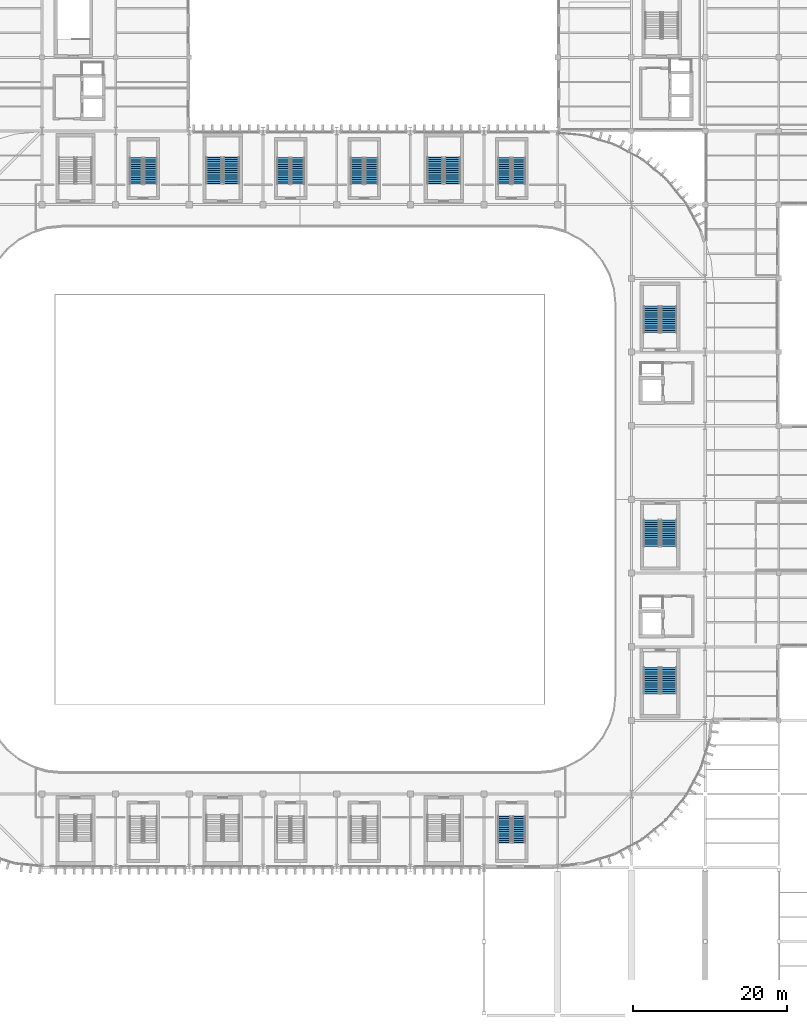
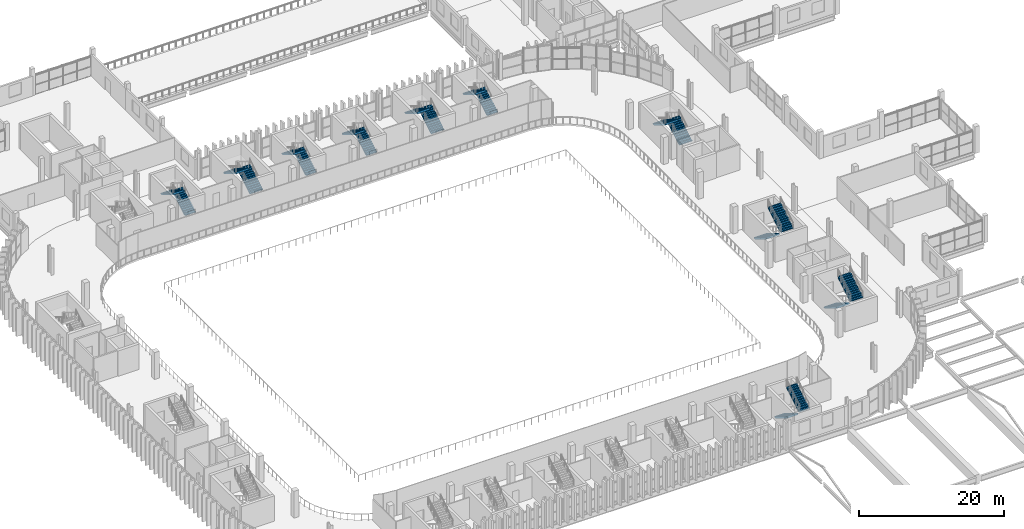
# One storey, part 55 of 75: 20 stair flights, 10 elements without a shape of their own.
"""IFC4 building model written with IfcOpenShell, lengths in metres."""

from ifc_helpers import new_model, si_unit, direction, frame, origin, place, context, subcontext, project, spatial, polyline, outline, extrude, material, type_object, element, aggregate, save


model = new_model("IFC4")

# Units and contexts
model_context = context("Model", 3, precision=1e-05, world=origin(), true_north=direction((0.0, 1.0)))
body_context = subcontext(model_context, "Body", "Model", "MODEL_VIEW")
ifc_project = project(units=[si_unit("LENGTHUNIT", "METRE"), si_unit("AREAUNIT", "SQUARE_METRE"), si_unit("VOLUMEUNIT", "CUBIC_METRE"), si_unit("PLANEANGLEUNIT", "RADIAN"), si_unit("MASSUNIT", "GRAM", prefix="KILO")], contexts=[model_context])

# Site, building, storey
site_placement = place(None, origin())
site = spatial("IfcSite", under=ifc_project, at=site_placement, CompositionType="ELEMENT")
building_placement = place(site_placement, origin())
building = spatial("IfcBuilding", under=site, at=building_placement, Name="Caelomonte Colonnade Arena", CompositionType="ELEMENT")
storey_placement = place(building_placement, frame((0.0, 0.0, 14.10009765625)))
storey = spatial("IfcBuildingStorey", under=building, at=storey_placement, Name="L03", CompositionType="ELEMENT", Elevation=14.10009765625)

# Stair, stair flights
ifc_material_1 = material(Name="Concrete C40/50", Category="concrete")
stair_type_1 = type_object("IfcStairType", Name="INT-ST-CORE45", PredefinedType="HALF_TURN_STAIR", material=ifc_material_1)
stair_1_placement = place(storey_placement, origin())
stair_1 = element("IfcStair", 1, at=stair_1_placement, inside=storey, type_object=stair_type_1, Name="L03 Protected exit stair ST-10", PredefinedType="HALF_TURN_STAIR")
stair_flight_type_1 = type_object("IfcStairFlightType", Name="INT-SF-CORE45", PredefinedType="STRAIGHT", material=ifc_material_1)
stair_flight_1_placement = place(storey_placement, frame((156.22509765625, 64.5, 0.0), z_axis=(0.0, 0.0, 1.0), x_axis=(0.0, -1.0, 0.0)))
stair_flight_1 = element("IfcStairFlight", 2, at=stair_flight_1_placement, type_object=stair_flight_type_1, Name="ST-10 flight 1", NumberOfRisers=13, NumberOfTreads=12, PredefinedType="STRAIGHT", RiserHeight=0.173076923, TreadLength=0.285, context=body_context, shape_type="SweptSolid", body=[
    extrude(outline(polyline([(-0.02490234375, 0.0), (-0.02490234375, 0.103759765625), (0.0, 0.103759765625), (0.0, 0.173095703125), (0.284912109375, 0.173095703125), (0.284912109375, 0.34619140625), (0.570068359375, 0.34619140625), (0.570068359375, 0.519287109375), (0.85498046875, 0.519287109375), (0.85498046875, 0.6923828125), (1.139892578125, 0.6923828125), (1.139892578125, 0.865478515625), (1.425048828125, 0.865478515625), (1.425048828125, 1.03857421875), (1.7099609375, 1.03857421875), (1.7099609375, 1.21142578125), (1.9951171875, 1.21142578125), (1.9951171875, 1.384521484375), (2.280029296875, 1.384521484375), (2.280029296875, 1.5576171875), (2.56494140625, 1.5576171875), (2.56494140625, 1.730712890625), (2.85009765625, 1.730712890625), (2.85009765625, 1.90380859375), (3.135009765625, 1.90380859375), (3.135009765625, 2.076904296875), (3.419921875, 2.076904296875), (3.419921875, 2.25), (3.445068359375, 2.25), (3.445068359375, 1.901611328125), (0.288818359375, 0.0), (-0.02490234375, 0.0)])), frame((0.0, 1.02490234375, 0.0), z_axis=(0.0, -1.0, 0.0), x_axis=(1.0, 0.0, 0.0)), (0.0, 0.0, 1.0), 2.050048828125),
])
stair_flight_2_placement = place(storey_placement, frame((158.47509765625, 61.080078125, 2.25), z_axis=(0.0, 0.0, 1.0), x_axis=(0.0, 1.0, 0.0)))
stair_flight_2 = element("IfcStairFlight", 3, at=stair_flight_2_placement, type_object=stair_flight_type_1, Name="ST-10 flight 2", NumberOfRisers=13, NumberOfTreads=12, PredefinedType="STRAIGHT", RiserHeight=0.173076923, TreadLength=0.285, context=body_context, shape_type="SweptSolid", body=[
    extrude(outline(polyline([(-0.02490234375, 0.0), (-0.02490234375, 0.103759765625), (0.0, 0.103759765625), (0.0, 0.173095703125), (0.284912109375, 0.173095703125), (0.284912109375, 0.34619140625), (0.570068359375, 0.34619140625), (0.570068359375, 0.519287109375), (0.85498046875, 0.519287109375), (0.85498046875, 0.6923828125), (1.139892578125, 0.6923828125), (1.139892578125, 0.865478515625), (1.425048828125, 0.865478515625), (1.425048828125, 1.03857421875), (1.7099609375, 1.03857421875), (1.7099609375, 1.21142578125), (1.9951171875, 1.21142578125), (1.9951171875, 1.384521484375), (2.280029296875, 1.384521484375), (2.280029296875, 1.5576171875), (2.56494140625, 1.5576171875), (2.56494140625, 1.730712890625), (2.85009765625, 1.730712890625), (2.85009765625, 1.90380859375), (3.135009765625, 1.90380859375), (3.135009765625, 2.076904296875), (3.419921875, 2.076904296875), (3.419921875, 2.25), (3.445068359375, 2.25), (3.445068359375, 1.901611328125), (0.288818359375, 0.0), (-0.02490234375, 0.0)])), frame((0.0, 1.02490234375, 0.0), z_axis=(0.0, -1.0, 0.0), x_axis=(1.0, 0.0, 0.0)), (0.0, 0.0, 1.0), 2.050048828125),
])
aggregate(stair_1, [stair_flight_1, stair_flight_2])

stair_2_placement = place(storey_placement, origin())
stair_2 = element("IfcStair", 4, at=stair_2_placement, inside=storey, type_object=stair_type_1, Name="L03 Protected exit stair ST-15", PredefinedType="HALF_TURN_STAIR")
stair_flight_3_placement = place(storey_placement, frame((101.47509765625, 108.35009765625, 0.0), z_axis=(0.0, 0.0, 1.0), x_axis=(0.0, 1.0, 0.0)))
stair_flight_3 = element("IfcStairFlight", 5, at=stair_flight_3_placement, type_object=stair_flight_type_1, Name="ST-15 flight 1", NumberOfRisers=13, NumberOfTreads=12, PredefinedType="STRAIGHT", RiserHeight=0.173076923, TreadLength=0.285, context=body_context, shape_type="SweptSolid", body=[
    extrude(outline(polyline([(-0.02490234375, 0.0), (-0.02490234375, 0.103759765625), (0.0, 0.103759765625), (0.0, 0.173095703125), (0.284912109375, 0.173095703125), (0.284912109375, 0.34619140625), (0.570068359375, 0.34619140625), (0.570068359375, 0.519287109375), (0.85498046875, 0.519287109375), (0.85498046875, 0.6923828125), (1.139892578125, 0.6923828125), (1.139892578125, 0.865478515625), (1.425048828125, 0.865478515625), (1.425048828125, 1.03857421875), (1.7099609375, 1.03857421875), (1.7099609375, 1.21142578125), (1.9951171875, 1.21142578125), (1.9951171875, 1.384521484375), (2.280029296875, 1.384521484375), (2.280029296875, 1.5576171875), (2.56494140625, 1.5576171875), (2.56494140625, 1.730712890625), (2.85009765625, 1.730712890625), (2.85009765625, 1.90380859375), (3.135009765625, 1.90380859375), (3.135009765625, 2.076904296875), (3.419921875, 2.076904296875), (3.419921875, 2.25), (3.445068359375, 2.25), (3.445068359375, 1.901611328125), (0.288818359375, 0.0), (-0.02490234375, 0.0)])), frame((0.0, 1.02490234375, 0.0), z_axis=(0.0, -1.0, 0.0), x_axis=(1.0, 0.0, 0.0)), (0.0, 0.0, 1.0), 2.050048828125),
])
stair_flight_4_placement = place(storey_placement, frame((99.22509765625, 111.77001953125, 2.25), z_axis=(0.0, 0.0, 1.0), x_axis=(0.0, -1.0, 0.0)))
stair_flight_4 = element("IfcStairFlight", 6, at=stair_flight_4_placement, type_object=stair_flight_type_1, Name="ST-15 flight 2", NumberOfRisers=13, NumberOfTreads=12, PredefinedType="STRAIGHT", RiserHeight=0.173076923, TreadLength=0.285, context=body_context, shape_type="SweptSolid", body=[
    extrude(outline(polyline([(-0.02490234375, 0.0), (-0.02490234375, 0.103759765625), (0.0, 0.103759765625), (0.0, 0.173095703125), (0.284912109375, 0.173095703125), (0.284912109375, 0.34619140625), (0.570068359375, 0.34619140625), (0.570068359375, 0.519287109375), (0.85498046875, 0.519287109375), (0.85498046875, 0.6923828125), (1.139892578125, 0.6923828125), (1.139892578125, 0.865478515625), (1.425048828125, 0.865478515625), (1.425048828125, 1.03857421875), (1.7099609375, 1.03857421875), (1.7099609375, 1.21142578125), (1.9951171875, 1.21142578125), (1.9951171875, 1.384521484375), (2.280029296875, 1.384521484375), (2.280029296875, 1.5576171875), (2.56494140625, 1.5576171875), (2.56494140625, 1.730712890625), (2.85009765625, 1.730712890625), (2.85009765625, 1.90380859375), (3.135009765625, 1.90380859375), (3.135009765625, 2.076904296875), (3.419921875, 2.076904296875), (3.419921875, 2.25), (3.445068359375, 2.25), (3.445068359375, 1.901611328125), (0.288818359375, 0.0), (-0.02490234375, 0.0)])), frame((0.0, 1.02490234375, 0.0), z_axis=(0.0, -1.0, 0.0), x_axis=(1.0, 0.0, 0.0)), (0.0, 0.0, 1.0), 2.050048828125),
])
aggregate(stair_2, [stair_flight_3, stair_flight_4])

stair_3_placement = place(storey_placement, origin())
stair_3 = element("IfcStair", 7, at=stair_3_placement, inside=storey, type_object=stair_type_1, Name="L03 Protected exit stair ST-16", PredefinedType="HALF_TURN_STAIR")
stair_flight_5_placement = place(storey_placement, frame((130.27490234375, 108.35009765625, 0.0), z_axis=(0.0, 0.0, 1.0), x_axis=(0.0, 1.0, 0.0)))
stair_flight_5 = element("IfcStairFlight", 8, at=stair_flight_5_placement, type_object=stair_flight_type_1, Name="ST-16 flight 1", NumberOfRisers=13, NumberOfTreads=12, PredefinedType="STRAIGHT", RiserHeight=0.173076923, TreadLength=0.285, context=body_context, shape_type="SweptSolid", body=[
    extrude(outline(polyline([(-0.02490234375, 0.0), (-0.02490234375, 0.103759765625), (0.0, 0.103759765625), (0.0, 0.173095703125), (0.284912109375, 0.173095703125), (0.284912109375, 0.34619140625), (0.570068359375, 0.34619140625), (0.570068359375, 0.519287109375), (0.85498046875, 0.519287109375), (0.85498046875, 0.6923828125), (1.139892578125, 0.6923828125), (1.139892578125, 0.865478515625), (1.425048828125, 0.865478515625), (1.425048828125, 1.03857421875), (1.7099609375, 1.03857421875), (1.7099609375, 1.21142578125), (1.9951171875, 1.21142578125), (1.9951171875, 1.384521484375), (2.280029296875, 1.384521484375), (2.280029296875, 1.5576171875), (2.56494140625, 1.5576171875), (2.56494140625, 1.730712890625), (2.85009765625, 1.730712890625), (2.85009765625, 1.90380859375), (3.135009765625, 1.90380859375), (3.135009765625, 2.076904296875), (3.419921875, 2.076904296875), (3.419921875, 2.25), (3.445068359375, 2.25), (3.445068359375, 1.901611328125), (0.288818359375, 0.0), (-0.02490234375, 0.0)])), frame((0.0, 1.02490234375, 0.0), z_axis=(0.0, -1.0, 0.0), x_axis=(1.0, 0.0, 0.0)), (0.0, 0.0, 1.0), 2.050048828125),
])
stair_flight_6_placement = place(storey_placement, frame((128.02490234375, 111.77001953125, 2.25), z_axis=(0.0, 0.0, 1.0), x_axis=(0.0, -1.0, 0.0)))
stair_flight_6 = element("IfcStairFlight", 9, at=stair_flight_6_placement, type_object=stair_flight_type_1, Name="ST-16 flight 2", NumberOfRisers=13, NumberOfTreads=12, PredefinedType="STRAIGHT", RiserHeight=0.173076923, TreadLength=0.285, context=body_context, shape_type="SweptSolid", body=[
    extrude(outline(polyline([(-0.02490234375, 0.0), (-0.02490234375, 0.103759765625), (0.0, 0.103759765625), (0.0, 0.173095703125), (0.284912109375, 0.173095703125), (0.284912109375, 0.34619140625), (0.570068359375, 0.34619140625), (0.570068359375, 0.519287109375), (0.85498046875, 0.519287109375), (0.85498046875, 0.6923828125), (1.139892578125, 0.6923828125), (1.139892578125, 0.865478515625), (1.425048828125, 0.865478515625), (1.425048828125, 1.03857421875), (1.7099609375, 1.03857421875), (1.7099609375, 1.21142578125), (1.9951171875, 1.21142578125), (1.9951171875, 1.384521484375), (2.280029296875, 1.384521484375), (2.280029296875, 1.5576171875), (2.56494140625, 1.5576171875), (2.56494140625, 1.730712890625), (2.85009765625, 1.730712890625), (2.85009765625, 1.90380859375), (3.135009765625, 1.90380859375), (3.135009765625, 2.076904296875), (3.419921875, 2.076904296875), (3.419921875, 2.25), (3.445068359375, 2.25), (3.445068359375, 1.901611328125), (0.288818359375, 0.0), (-0.02490234375, 0.0)])), frame((0.0, 1.02490234375, 0.0), z_axis=(0.0, -1.0, 0.0), x_axis=(1.0, 0.0, 0.0)), (0.0, 0.0, 1.0), 2.050048828125),
])
aggregate(stair_3, [stair_flight_5, stair_flight_6])

ifc_material_2 = material(Name="Precast concrete C40/50", Category="concrete")
stair_type_2 = type_object("IfcStairType", Name="INT-ST-VOMU", PredefinedType="HALF_TURN_STAIR", material=ifc_material_2)
stair_4_placement = place(storey_placement, origin())
stair_4 = element("IfcStair", 10, at=stair_4_placement, inside=storey, type_object=stair_type_2, Name="L03 Vomitory VOM-12 aisle stair ST-V12", PredefinedType="HALF_TURN_STAIR")
stair_flight_type_2 = type_object("IfcStairFlightType", Name="INT-SF-VOMU", PredefinedType="STRAIGHT", material=ifc_material_2)
stair_flight_7_placement = place(storey_placement, frame((137.050048828125, 25.89990234375, 0.0), z_axis=(0.0, 0.0, 1.0), x_axis=(0.0, -1.0, 0.0)))
stair_flight_7 = element("IfcStairFlight", 11, at=stair_flight_7_placement, type_object=stair_flight_type_2, Name="ST-V12 flight 1", NumberOfRisers=13, NumberOfTreads=12, PredefinedType="STRAIGHT", RiserHeight=0.173076923, TreadLength=0.285, context=body_context, shape_type="SweptSolid", body=[
    extrude(outline(polyline([(-0.02490234375, 0.0), (-0.02490234375, 0.103759765625), (0.0, 0.103759765625), (0.0, 0.173095703125), (0.284912109375, 0.173095703125), (0.284912109375, 0.34619140625), (0.570068359375, 0.34619140625), (0.570068359375, 0.519287109375), (0.85498046875, 0.519287109375), (0.85498046875, 0.6923828125), (1.139892578125, 0.6923828125), (1.139892578125, 0.865478515625), (1.425048828125, 0.865478515625), (1.425048828125, 1.03857421875), (1.7099609375, 1.03857421875), (1.7099609375, 1.21142578125), (1.9951171875, 1.21142578125), (1.9951171875, 1.384521484375), (2.280029296875, 1.384521484375), (2.280029296875, 1.5576171875), (2.56494140625, 1.5576171875), (2.56494140625, 1.730712890625), (2.85009765625, 1.730712890625), (2.85009765625, 1.90380859375), (3.135009765625, 1.90380859375), (3.135009765625, 2.076904296875), (3.419921875, 2.076904296875), (3.419921875, 2.25), (3.445068359375, 2.25), (3.445068359375, 1.901611328125), (0.288818359375, 0.0), (-0.02490234375, 0.0)])), frame((0.0, 0.85009765625, 0.0), z_axis=(0.0, -1.0, 0.0), x_axis=(1.0, 0.0, 0.0)), (0.0, 0.0, 1.0), 1.699951171875),
])
stair_flight_8_placement = place(storey_placement, frame((138.949951171875, 22.47998046875, 2.25), z_axis=(0.0, 0.0, 1.0), x_axis=(0.0, 1.0, 0.0)))
stair_flight_8 = element("IfcStairFlight", 12, at=stair_flight_8_placement, type_object=stair_flight_type_2, Name="ST-V12 flight 2", NumberOfRisers=13, NumberOfTreads=12, PredefinedType="STRAIGHT", RiserHeight=0.173076923, TreadLength=0.285, context=body_context, shape_type="SweptSolid", body=[
    extrude(outline(polyline([(-0.02490234375, 0.0), (-0.02490234375, 0.103759765625), (0.0, 0.103759765625), (0.0, 0.173095703125), (0.284912109375, 0.173095703125), (0.284912109375, 0.34619140625), (0.570068359375, 0.34619140625), (0.570068359375, 0.519287109375), (0.85498046875, 0.519287109375), (0.85498046875, 0.6923828125), (1.139892578125, 0.6923828125), (1.139892578125, 0.865478515625), (1.425048828125, 0.865478515625), (1.425048828125, 1.03857421875), (1.7099609375, 1.03857421875), (1.7099609375, 1.21142578125), (1.9951171875, 1.21142578125), (1.9951171875, 1.384521484375), (2.280029296875, 1.384521484375), (2.280029296875, 1.5576171875), (2.56494140625, 1.5576171875), (2.56494140625, 1.730712890625), (2.85009765625, 1.730712890625), (2.85009765625, 1.90380859375), (3.135009765625, 1.90380859375), (3.135009765625, 2.076904296875), (3.419921875, 2.076904296875), (3.419921875, 2.25), (3.445068359375, 2.25), (3.445068359375, 1.901611328125), (0.288818359375, 0.0), (-0.02490234375, 0.0)])), frame((0.0, 0.85009765625, 0.0), z_axis=(0.0, -1.0, 0.0), x_axis=(1.0, 0.0, 0.0)), (0.0, 0.0, 1.0), 1.699951171875),
])
aggregate(stair_4, [stair_flight_7, stair_flight_8])

stair_5_placement = place(storey_placement, origin())
stair_5 = element("IfcStair", 13, at=stair_5_placement, inside=storey, type_object=stair_type_2, Name="L03 Vomitory VOM-13 aisle stair ST-V13", PredefinedType="HALF_TURN_STAIR")
stair_flight_9_placement = place(storey_placement, frame((90.949951171875, 108.300048828125, 0.0), z_axis=(0.0, 0.0, 1.0), x_axis=(0.0, 1.0, 0.0)))
stair_flight_9 = element("IfcStairFlight", 14, at=stair_flight_9_placement, type_object=stair_flight_type_2, Name="ST-V13 flight 1", NumberOfRisers=13, NumberOfTreads=12, PredefinedType="STRAIGHT", RiserHeight=0.173076923, TreadLength=0.285, context=body_context, shape_type="SweptSolid", body=[
    extrude(outline(polyline([(-0.02490234375, 0.0), (-0.02490234375, 0.103759765625), (0.0, 0.103759765625), (0.0, 0.173095703125), (0.284912109375, 0.173095703125), (0.284912109375, 0.34619140625), (0.570068359375, 0.34619140625), (0.570068359375, 0.519287109375), (0.85498046875, 0.519287109375), (0.85498046875, 0.6923828125), (1.139892578125, 0.6923828125), (1.139892578125, 0.865478515625), (1.425048828125, 0.865478515625), (1.425048828125, 1.03857421875), (1.7099609375, 1.03857421875), (1.7099609375, 1.21142578125), (1.9951171875, 1.21142578125), (1.9951171875, 1.384521484375), (2.280029296875, 1.384521484375), (2.280029296875, 1.5576171875), (2.56494140625, 1.5576171875), (2.56494140625, 1.730712890625), (2.85009765625, 1.730712890625), (2.85009765625, 1.90380859375), (3.135009765625, 1.90380859375), (3.135009765625, 2.076904296875), (3.419921875, 2.076904296875), (3.419921875, 2.25), (3.445068359375, 2.25), (3.445068359375, 1.901611328125), (0.288818359375, 0.0), (-0.02490234375, 0.0)])), frame((0.0, 0.85009765625, 0.0), z_axis=(0.0, -1.0, 0.0), x_axis=(1.0, 0.0, 0.0)), (0.0, 0.0, 1.0), 1.699951171875),
])
stair_flight_10_placement = place(storey_placement, frame((89.050048828125, 111.719970703125, 2.25), z_axis=(0.0, 0.0, 1.0), x_axis=(0.0, -1.0, 0.0)))
stair_flight_10 = element("IfcStairFlight", 15, at=stair_flight_10_placement, type_object=stair_flight_type_2, Name="ST-V13 flight 2", NumberOfRisers=13, NumberOfTreads=12, PredefinedType="STRAIGHT", RiserHeight=0.173076923, TreadLength=0.285, context=body_context, shape_type="SweptSolid", body=[
    extrude(outline(polyline([(-0.02490234375, 0.0), (-0.02490234375, 0.103759765625), (0.0, 0.103759765625), (0.0, 0.173095703125), (0.284912109375, 0.173095703125), (0.284912109375, 0.34619140625), (0.570068359375, 0.34619140625), (0.570068359375, 0.519287109375), (0.85498046875, 0.519287109375), (0.85498046875, 0.6923828125), (1.139892578125, 0.6923828125), (1.139892578125, 0.865478515625), (1.425048828125, 0.865478515625), (1.425048828125, 1.03857421875), (1.7099609375, 1.03857421875), (1.7099609375, 1.21142578125), (1.9951171875, 1.21142578125), (1.9951171875, 1.384521484375), (2.280029296875, 1.384521484375), (2.280029296875, 1.5576171875), (2.56494140625, 1.5576171875), (2.56494140625, 1.730712890625), (2.85009765625, 1.730712890625), (2.85009765625, 1.90380859375), (3.135009765625, 1.90380859375), (3.135009765625, 2.076904296875), (3.419921875, 2.076904296875), (3.419921875, 2.25), (3.445068359375, 2.25), (3.445068359375, 1.901611328125), (0.288818359375, 0.0), (-0.02490234375, 0.0)])), frame((0.0, 0.85009765625, 0.0), z_axis=(0.0, -1.0, 0.0), x_axis=(1.0, 0.0, 0.0)), (0.0, 0.0, 1.0), 1.699951171875),
])
aggregate(stair_5, [stair_flight_9, stair_flight_10])

stair_6_placement = place(storey_placement, origin())
stair_6 = element("IfcStair", 16, at=stair_6_placement, inside=storey, type_object=stair_type_2, Name="L03 Vomitory VOM-14 aisle stair ST-V14", PredefinedType="HALF_TURN_STAIR")
stair_flight_11_placement = place(storey_placement, frame((110.14990234375, 108.300048828125, 0.0), z_axis=(0.0, 0.0, 1.0), x_axis=(0.0, 1.0, 0.0)))
stair_flight_11 = element("IfcStairFlight", 17, at=stair_flight_11_placement, type_object=stair_flight_type_2, Name="ST-V14 flight 1", NumberOfRisers=13, NumberOfTreads=12, PredefinedType="STRAIGHT", RiserHeight=0.173076923, TreadLength=0.285, context=body_context, shape_type="SweptSolid", body=[
    extrude(outline(polyline([(-0.02490234375, 0.0), (-0.02490234375, 0.103759765625), (0.0, 0.103759765625), (0.0, 0.173095703125), (0.284912109375, 0.173095703125), (0.284912109375, 0.34619140625), (0.570068359375, 0.34619140625), (0.570068359375, 0.519287109375), (0.85498046875, 0.519287109375), (0.85498046875, 0.6923828125), (1.139892578125, 0.6923828125), (1.139892578125, 0.865478515625), (1.425048828125, 0.865478515625), (1.425048828125, 1.03857421875), (1.7099609375, 1.03857421875), (1.7099609375, 1.21142578125), (1.9951171875, 1.21142578125), (1.9951171875, 1.384521484375), (2.280029296875, 1.384521484375), (2.280029296875, 1.5576171875), (2.56494140625, 1.5576171875), (2.56494140625, 1.730712890625), (2.85009765625, 1.730712890625), (2.85009765625, 1.90380859375), (3.135009765625, 1.90380859375), (3.135009765625, 2.076904296875), (3.419921875, 2.076904296875), (3.419921875, 2.25), (3.445068359375, 2.25), (3.445068359375, 1.901611328125), (0.288818359375, 0.0), (-0.02490234375, 0.0)])), frame((0.0, 0.85009765625, 0.0), z_axis=(0.0, -1.0, 0.0), x_axis=(1.0, 0.0, 0.0)), (0.0, 0.0, 1.0), 1.699951171875),
])
stair_flight_12_placement = place(storey_placement, frame((108.25, 111.719970703125, 2.25), z_axis=(0.0, 0.0, 1.0), x_axis=(0.0, -1.0, 0.0)))
stair_flight_12 = element("IfcStairFlight", 18, at=stair_flight_12_placement, type_object=stair_flight_type_2, Name="ST-V14 flight 2", NumberOfRisers=13, NumberOfTreads=12, PredefinedType="STRAIGHT", RiserHeight=0.173076923, TreadLength=0.285, context=body_context, shape_type="SweptSolid", body=[
    extrude(outline(polyline([(-0.02490234375, 0.0), (-0.02490234375, 0.103759765625), (0.0, 0.103759765625), (0.0, 0.173095703125), (0.284912109375, 0.173095703125), (0.284912109375, 0.34619140625), (0.570068359375, 0.34619140625), (0.570068359375, 0.519287109375), (0.85498046875, 0.519287109375), (0.85498046875, 0.6923828125), (1.139892578125, 0.6923828125), (1.139892578125, 0.865478515625), (1.425048828125, 0.865478515625), (1.425048828125, 1.03857421875), (1.7099609375, 1.03857421875), (1.7099609375, 1.21142578125), (1.9951171875, 1.21142578125), (1.9951171875, 1.384521484375), (2.280029296875, 1.384521484375), (2.280029296875, 1.5576171875), (2.56494140625, 1.5576171875), (2.56494140625, 1.730712890625), (2.85009765625, 1.730712890625), (2.85009765625, 1.90380859375), (3.135009765625, 1.90380859375), (3.135009765625, 2.076904296875), (3.419921875, 2.076904296875), (3.419921875, 2.25), (3.445068359375, 2.25), (3.445068359375, 1.901611328125), (0.288818359375, 0.0), (-0.02490234375, 0.0)])), frame((0.0, 0.85009765625, 0.0), z_axis=(0.0, -1.0, 0.0), x_axis=(1.0, 0.0, 0.0)), (0.0, 0.0, 1.0), 1.699951171875),
])
aggregate(stair_6, [stair_flight_11, stair_flight_12])

stair_7_placement = place(storey_placement, origin())
stair_7 = element("IfcStair", 19, at=stair_7_placement, inside=storey, type_object=stair_type_2, Name="L03 Vomitory VOM-15 aisle stair ST-V15", PredefinedType="HALF_TURN_STAIR")
stair_flight_13_placement = place(storey_placement, frame((119.75, 108.300048828125, 0.0), z_axis=(0.0, 0.0, 1.0), x_axis=(0.0, 1.0, 0.0)))
stair_flight_13 = element("IfcStairFlight", 20, at=stair_flight_13_placement, type_object=stair_flight_type_2, Name="ST-V15 flight 1", NumberOfRisers=13, NumberOfTreads=12, PredefinedType="STRAIGHT", RiserHeight=0.173076923, TreadLength=0.285, context=body_context, shape_type="SweptSolid", body=[
    extrude(outline(polyline([(-0.02490234375, 0.0), (-0.02490234375, 0.103759765625), (0.0, 0.103759765625), (0.0, 0.173095703125), (0.284912109375, 0.173095703125), (0.284912109375, 0.34619140625), (0.570068359375, 0.34619140625), (0.570068359375, 0.519287109375), (0.85498046875, 0.519287109375), (0.85498046875, 0.6923828125), (1.139892578125, 0.6923828125), (1.139892578125, 0.865478515625), (1.425048828125, 0.865478515625), (1.425048828125, 1.03857421875), (1.7099609375, 1.03857421875), (1.7099609375, 1.21142578125), (1.9951171875, 1.21142578125), (1.9951171875, 1.384521484375), (2.280029296875, 1.384521484375), (2.280029296875, 1.5576171875), (2.56494140625, 1.5576171875), (2.56494140625, 1.730712890625), (2.85009765625, 1.730712890625), (2.85009765625, 1.90380859375), (3.135009765625, 1.90380859375), (3.135009765625, 2.076904296875), (3.419921875, 2.076904296875), (3.419921875, 2.25), (3.445068359375, 2.25), (3.445068359375, 1.901611328125), (0.288818359375, 0.0), (-0.02490234375, 0.0)])), frame((0.0, 0.85009765625, 0.0), z_axis=(0.0, -1.0, 0.0), x_axis=(1.0, 0.0, 0.0)), (0.0, 0.0, 1.0), 1.699951171875),
])
stair_flight_14_placement = place(storey_placement, frame((117.85009765625, 111.719970703125, 2.25), z_axis=(0.0, 0.0, 1.0), x_axis=(0.0, -1.0, 0.0)))
stair_flight_14 = element("IfcStairFlight", 21, at=stair_flight_14_placement, type_object=stair_flight_type_2, Name="ST-V15 flight 2", NumberOfRisers=13, NumberOfTreads=12, PredefinedType="STRAIGHT", RiserHeight=0.173076923, TreadLength=0.285, context=body_context, shape_type="SweptSolid", body=[
    extrude(outline(polyline([(-0.02490234375, 0.0), (-0.02490234375, 0.103759765625), (0.0, 0.103759765625), (0.0, 0.173095703125), (0.284912109375, 0.173095703125), (0.284912109375, 0.34619140625), (0.570068359375, 0.34619140625), (0.570068359375, 0.519287109375), (0.85498046875, 0.519287109375), (0.85498046875, 0.6923828125), (1.139892578125, 0.6923828125), (1.139892578125, 0.865478515625), (1.425048828125, 0.865478515625), (1.425048828125, 1.03857421875), (1.7099609375, 1.03857421875), (1.7099609375, 1.21142578125), (1.9951171875, 1.21142578125), (1.9951171875, 1.384521484375), (2.280029296875, 1.384521484375), (2.280029296875, 1.5576171875), (2.56494140625, 1.5576171875), (2.56494140625, 1.730712890625), (2.85009765625, 1.730712890625), (2.85009765625, 1.90380859375), (3.135009765625, 1.90380859375), (3.135009765625, 2.076904296875), (3.419921875, 2.076904296875), (3.419921875, 2.25), (3.445068359375, 2.25), (3.445068359375, 1.901611328125), (0.288818359375, 0.0), (-0.02490234375, 0.0)])), frame((0.0, 0.85009765625, 0.0), z_axis=(0.0, -1.0, 0.0), x_axis=(1.0, 0.0, 0.0)), (0.0, 0.0, 1.0), 1.699951171875),
])
aggregate(stair_7, [stair_flight_13, stair_flight_14])

stair_8_placement = place(storey_placement, origin())
stair_8 = element("IfcStair", 22, at=stair_8_placement, inside=storey, type_object=stair_type_2, Name="L03 Vomitory VOM-16 aisle stair ST-V16", PredefinedType="HALF_TURN_STAIR")
stair_flight_15_placement = place(storey_placement, frame((138.949951171875, 108.300048828125, 0.0), z_axis=(0.0, 0.0, 1.0), x_axis=(0.0, 1.0, 0.0)))
stair_flight_15 = element("IfcStairFlight", 23, at=stair_flight_15_placement, type_object=stair_flight_type_2, Name="ST-V16 flight 1", NumberOfRisers=13, NumberOfTreads=12, PredefinedType="STRAIGHT", RiserHeight=0.173076923, TreadLength=0.285, context=body_context, shape_type="SweptSolid", body=[
    extrude(outline(polyline([(-0.02490234375, 0.0), (-0.02490234375, 0.103759765625), (0.0, 0.103759765625), (0.0, 0.173095703125), (0.284912109375, 0.173095703125), (0.284912109375, 0.34619140625), (0.570068359375, 0.34619140625), (0.570068359375, 0.519287109375), (0.85498046875, 0.519287109375), (0.85498046875, 0.6923828125), (1.139892578125, 0.6923828125), (1.139892578125, 0.865478515625), (1.425048828125, 0.865478515625), (1.425048828125, 1.03857421875), (1.7099609375, 1.03857421875), (1.7099609375, 1.21142578125), (1.9951171875, 1.21142578125), (1.9951171875, 1.384521484375), (2.280029296875, 1.384521484375), (2.280029296875, 1.5576171875), (2.56494140625, 1.5576171875), (2.56494140625, 1.730712890625), (2.85009765625, 1.730712890625), (2.85009765625, 1.90380859375), (3.135009765625, 1.90380859375), (3.135009765625, 2.076904296875), (3.419921875, 2.076904296875), (3.419921875, 2.25), (3.445068359375, 2.25), (3.445068359375, 1.901611328125), (0.288818359375, 0.0), (-0.02490234375, 0.0)])), frame((0.0, 0.85009765625, 0.0), z_axis=(0.0, -1.0, 0.0), x_axis=(1.0, 0.0, 0.0)), (0.0, 0.0, 1.0), 1.699951171875),
])
stair_flight_16_placement = place(storey_placement, frame((137.050048828125, 111.719970703125, 2.25), z_axis=(0.0, 0.0, 1.0), x_axis=(0.0, -1.0, 0.0)))
stair_flight_16 = element("IfcStairFlight", 24, at=stair_flight_16_placement, type_object=stair_flight_type_2, Name="ST-V16 flight 2", NumberOfRisers=13, NumberOfTreads=12, PredefinedType="STRAIGHT", RiserHeight=0.173076923, TreadLength=0.285, context=body_context, shape_type="SweptSolid", body=[
    extrude(outline(polyline([(-0.02490234375, 0.0), (-0.02490234375, 0.103759765625), (0.0, 0.103759765625), (0.0, 0.173095703125), (0.284912109375, 0.173095703125), (0.284912109375, 0.34619140625), (0.570068359375, 0.34619140625), (0.570068359375, 0.519287109375), (0.85498046875, 0.519287109375), (0.85498046875, 0.6923828125), (1.139892578125, 0.6923828125), (1.139892578125, 0.865478515625), (1.425048828125, 0.865478515625), (1.425048828125, 1.03857421875), (1.7099609375, 1.03857421875), (1.7099609375, 1.21142578125), (1.9951171875, 1.21142578125), (1.9951171875, 1.384521484375), (2.280029296875, 1.384521484375), (2.280029296875, 1.5576171875), (2.56494140625, 1.5576171875), (2.56494140625, 1.730712890625), (2.85009765625, 1.730712890625), (2.85009765625, 1.90380859375), (3.135009765625, 1.90380859375), (3.135009765625, 2.076904296875), (3.419921875, 2.076904296875), (3.419921875, 2.25), (3.445068359375, 2.25), (3.445068359375, 1.901611328125), (0.288818359375, 0.0), (-0.02490234375, 0.0)])), frame((0.0, 0.85009765625, 0.0), z_axis=(0.0, -1.0, 0.0), x_axis=(1.0, 0.0, 0.0)), (0.0, 0.0, 1.0), 1.699951171875),
])
aggregate(stair_8, [stair_flight_15, stair_flight_16])

stair_type_3 = type_object("IfcStairType", Name="INT-ST-WING45", PredefinedType="HALF_TURN_STAIR", material=ifc_material_1)
stair_9_placement = place(storey_placement, origin())
stair_9 = element("IfcStair", 25, at=stair_9_placement, inside=storey, type_object=stair_type_3, Name="L03 Core C2 exit stair ST-02", PredefinedType="HALF_TURN_STAIR")
stair_flight_type_3 = type_object("IfcStairFlightType", Name="INT-SF-WING45", PredefinedType="STRAIGHT", material=ifc_material_1)
stair_flight_17_placement = place(storey_placement, frame((156.22509765625, 45.300048828125, 0.0), z_axis=(0.0, 0.0, 1.0), x_axis=(0.0, -1.0, 0.0)))
stair_flight_17 = element("IfcStairFlight", 26, at=stair_flight_17_placement, type_object=stair_flight_type_3, Name="ST-02 flight 1", NumberOfRisers=13, NumberOfTreads=12, PredefinedType="STRAIGHT", RiserHeight=0.173076923, TreadLength=0.285, context=body_context, shape_type="SweptSolid", body=[
    extrude(outline(polyline([(-0.02490234375, 0.0), (-0.02490234375, 0.103759765625), (0.0, 0.103759765625), (0.0, 0.173095703125), (0.284912109375, 0.173095703125), (0.284912109375, 0.34619140625), (0.570068359375, 0.34619140625), (0.570068359375, 0.519287109375), (0.85498046875, 0.519287109375), (0.85498046875, 0.6923828125), (1.139892578125, 0.6923828125), (1.139892578125, 0.865478515625), (1.425048828125, 0.865478515625), (1.425048828125, 1.03857421875), (1.7099609375, 1.03857421875), (1.7099609375, 1.21142578125), (1.9951171875, 1.21142578125), (1.9951171875, 1.384521484375), (2.280029296875, 1.384521484375), (2.280029296875, 1.5576171875), (2.56494140625, 1.5576171875), (2.56494140625, 1.730712890625), (2.85009765625, 1.730712890625), (2.85009765625, 1.90380859375), (3.135009765625, 1.90380859375), (3.135009765625, 2.076904296875), (3.419921875, 2.076904296875), (3.419921875, 2.25), (3.445068359375, 2.25), (3.445068359375, 1.901611328125), (0.288818359375, 0.0), (-0.02490234375, 0.0)])), frame((0.0, 1.02490234375, 0.0), z_axis=(0.0, -1.0, 0.0), x_axis=(1.0, 0.0, 0.0)), (0.0, 0.0, 1.0), 2.050048828125),
])
stair_flight_18_placement = place(storey_placement, frame((158.47509765625, 41.8798828125, 2.25), z_axis=(0.0, 0.0, 1.0), x_axis=(0.0, 1.0, 0.0)))
stair_flight_18 = element("IfcStairFlight", 27, at=stair_flight_18_placement, type_object=stair_flight_type_3, Name="ST-02 flight 2", NumberOfRisers=13, NumberOfTreads=12, PredefinedType="STRAIGHT", RiserHeight=0.173076923, TreadLength=0.285, context=body_context, shape_type="SweptSolid", body=[
    extrude(outline(polyline([(-0.02490234375, 0.0), (-0.02490234375, 0.103759765625), (0.0, 0.103759765625), (0.0, 0.173095703125), (0.284912109375, 0.173095703125), (0.284912109375, 0.34619140625), (0.570068359375, 0.34619140625), (0.570068359375, 0.519287109375), (0.85498046875, 0.519287109375), (0.85498046875, 0.6923828125), (1.139892578125, 0.6923828125), (1.139892578125, 0.865478515625), (1.425048828125, 0.865478515625), (1.425048828125, 1.03857421875), (1.7099609375, 1.03857421875), (1.7099609375, 1.21142578125), (1.9951171875, 1.21142578125), (1.9951171875, 1.384521484375), (2.280029296875, 1.384521484375), (2.280029296875, 1.5576171875), (2.56494140625, 1.5576171875), (2.56494140625, 1.730712890625), (2.85009765625, 1.730712890625), (2.85009765625, 1.90380859375), (3.135009765625, 1.90380859375), (3.135009765625, 2.076904296875), (3.419921875, 2.076904296875), (3.419921875, 2.25), (3.445068359375, 2.25), (3.445068359375, 1.901611328125), (0.288818359375, 0.0), (-0.02490234375, 0.0)])), frame((0.0, 1.02490234375, 0.0), z_axis=(0.0, -1.0, 0.0), x_axis=(1.0, 0.0, 0.0)), (0.0, 0.0, 1.0), 2.050048828125),
])
aggregate(stair_9, [stair_flight_17, stair_flight_18])

stair_10_placement = place(storey_placement, origin())
stair_10 = element("IfcStair", 28, at=stair_10_placement, inside=storey, type_object=stair_type_3, Name="L03 Core C3 exit stair ST-03", PredefinedType="HALF_TURN_STAIR")
stair_flight_19_placement = place(storey_placement, frame((158.47509765625, 88.949951171875, 0.0), z_axis=(0.0, 0.0, 1.0), x_axis=(0.0, 1.0, 0.0)))
stair_flight_19 = element("IfcStairFlight", 29, at=stair_flight_19_placement, type_object=stair_flight_type_3, Name="ST-03 flight 1", NumberOfRisers=13, NumberOfTreads=12, PredefinedType="STRAIGHT", RiserHeight=0.173076923, TreadLength=0.285, context=body_context, shape_type="SweptSolid", body=[
    extrude(outline(polyline([(-0.02490234375, 0.0), (-0.02490234375, 0.103759765625), (0.0, 0.103759765625), (0.0, 0.173095703125), (0.284912109375, 0.173095703125), (0.284912109375, 0.34619140625), (0.570068359375, 0.34619140625), (0.570068359375, 0.519287109375), (0.85498046875, 0.519287109375), (0.85498046875, 0.6923828125), (1.139892578125, 0.6923828125), (1.139892578125, 0.865478515625), (1.425048828125, 0.865478515625), (1.425048828125, 1.03857421875), (1.7099609375, 1.03857421875), (1.7099609375, 1.21142578125), (1.9951171875, 1.21142578125), (1.9951171875, 1.384521484375), (2.280029296875, 1.384521484375), (2.280029296875, 1.5576171875), (2.56494140625, 1.5576171875), (2.56494140625, 1.730712890625), (2.85009765625, 1.730712890625), (2.85009765625, 1.90380859375), (3.135009765625, 1.90380859375), (3.135009765625, 2.076904296875), (3.419921875, 2.076904296875), (3.419921875, 2.25), (3.445068359375, 2.25), (3.445068359375, 1.901611328125), (0.288818359375, 0.0), (-0.02490234375, 0.0)])), frame((0.0, 1.02490234375, 0.0), z_axis=(0.0, -1.0, 0.0), x_axis=(1.0, 0.0, 0.0)), (0.0, 0.0, 1.0), 2.050048828125),
])
stair_flight_20_placement = place(storey_placement, frame((156.22509765625, 92.3701171875, 2.25), z_axis=(0.0, 0.0, 1.0), x_axis=(0.0, -1.0, 0.0)))
stair_flight_20 = element("IfcStairFlight", 30, at=stair_flight_20_placement, type_object=stair_flight_type_3, Name="ST-03 flight 2", NumberOfRisers=13, NumberOfTreads=12, PredefinedType="STRAIGHT", RiserHeight=0.173076923, TreadLength=0.285, context=body_context, shape_type="SweptSolid", body=[
    extrude(outline(polyline([(-0.02490234375, 0.0), (-0.02490234375, 0.103759765625), (0.0, 0.103759765625), (0.0, 0.173095703125), (0.284912109375, 0.173095703125), (0.284912109375, 0.34619140625), (0.570068359375, 0.34619140625), (0.570068359375, 0.519287109375), (0.85498046875, 0.519287109375), (0.85498046875, 0.6923828125), (1.139892578125, 0.6923828125), (1.139892578125, 0.865478515625), (1.425048828125, 0.865478515625), (1.425048828125, 1.03857421875), (1.7099609375, 1.03857421875), (1.7099609375, 1.21142578125), (1.9951171875, 1.21142578125), (1.9951171875, 1.384521484375), (2.280029296875, 1.384521484375), (2.280029296875, 1.5576171875), (2.56494140625, 1.5576171875), (2.56494140625, 1.730712890625), (2.85009765625, 1.730712890625), (2.85009765625, 1.90380859375), (3.135009765625, 1.90380859375), (3.135009765625, 2.076904296875), (3.419921875, 2.076904296875), (3.419921875, 2.25), (3.445068359375, 2.25), (3.445068359375, 1.901611328125), (0.288818359375, 0.0), (-0.02490234375, 0.0)])), frame((0.0, 1.02490234375, 0.0), z_axis=(0.0, -1.0, 0.0), x_axis=(1.0, 0.0, 0.0)), (0.0, 0.0, 1.0), 2.050048828125),
])
aggregate(stair_10, [stair_flight_19, stair_flight_20])

save(model, "model.ifc")
